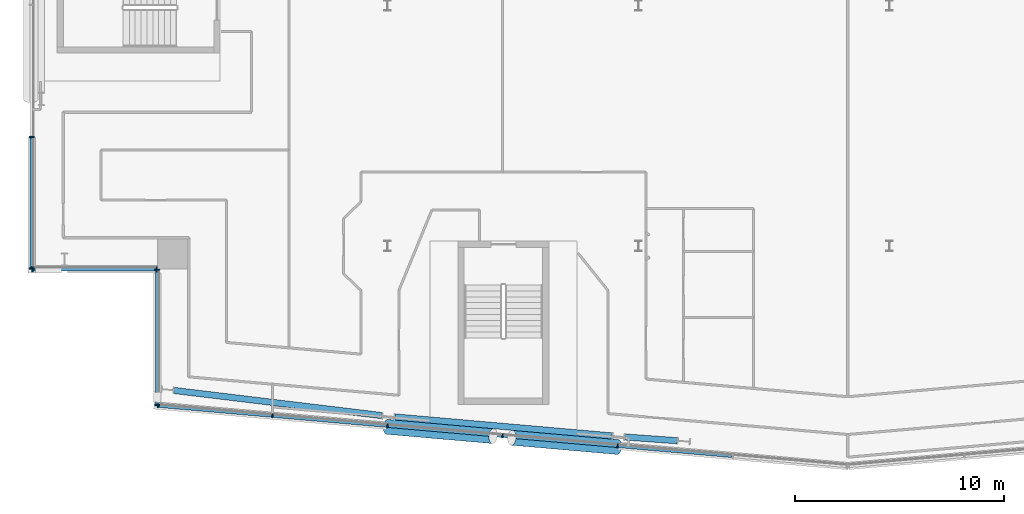
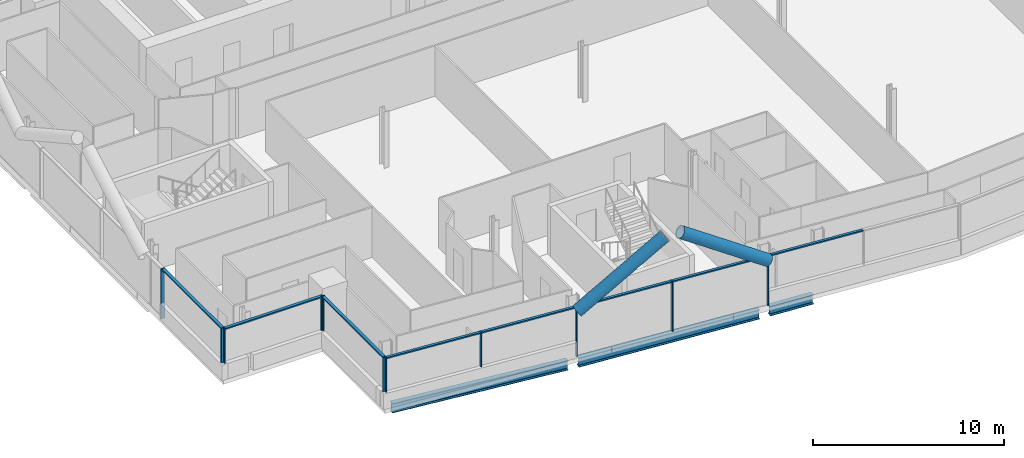
# One storey, part 6 of 27: 21 members, 3 beams, 4 elements without a shape of their own.
"""IFC4 building model written with IfcOpenShell, lengths in metres."""

from ifc_helpers import new_model, si_unit, direction, frame, origin, origin_2d, place, context, subcontext, project, spatial, rectangle, hollow_circle, i_section, extrude, material, material_profile, profile_set, type_object, element, aggregate, save


model = new_model("IFC4")

# Units and contexts
model_context = context("Model", 3, precision=1e-05, world=origin(), true_north=direction((0.0, 1.0)))
body_context = subcontext(model_context, "Body", "Model", "MODEL_VIEW")
ifc_project = project(units=[si_unit("LENGTHUNIT", "METRE"), si_unit("AREAUNIT", "SQUARE_METRE"), si_unit("VOLUMEUNIT", "CUBIC_METRE"), si_unit("PLANEANGLEUNIT", "RADIAN"), si_unit("MASSUNIT", "GRAM", prefix="KILO")], contexts=[model_context])

# Site, building, storey
site_placement = place(None, origin())
site = spatial("IfcSite", under=ifc_project, at=site_placement, CompositionType="ELEMENT")
building_placement = place(site_placement, origin())
building = spatial("IfcBuilding", under=site, at=building_placement, Name="Wharfspan Tower", CompositionType="ELEMENT")
storey_placement = place(building_placement, frame((0.0, 0.0, 191.5)))
storey = spatial("IfcBuildingStorey", under=building, at=storey_placement, Name="L47", CompositionType="ELEMENT", Elevation=191.5)

# Beams
ifc_material_1 = material(Name="Steel S355J2", Category="steel")
ifc_material_profile_1 = material_profile(ifc_material_1, i_section(OverallWidth=0.300049, OverallDepth=0.600098, WebThickness=0.015381, FlangeThickness=0.030029, FilletRadius=0.0271, at=origin_2d()))
ifc_profile_set_1 = profile_set([ifc_material_profile_1], Name="Steel S355J2")
beam_type = type_object("IfcBeamType", Name="Edge beam HEB 600", PredefinedType="SPANDREL", material=ifc_profile_set_1)
beam_1_placement = place(storey_placement, frame((13.794678, 4.600586, -0.699951), z_axis=(0.992758, -0.12013, 0.0), x_axis=(0.12013, 0.992758, 0.0)))
element("IfcBeam", 1, at=beam_1_placement, inside=storey, type_object=beam_type, Name="Edge beam S1 L47 PS1.1 to PS1.2", PredefinedType="SPANDREL", context=body_context, shape_type="SweptSolid", body=[
    extrude(i_section(OverallWidth=0.300049, OverallDepth=0.600098, WebThickness=0.015381, FlangeThickness=0.030029, FilletRadius=0.0271, at=origin_2d()), origin(), (0.0, 0.0, 1.0), 10.013184),
])
beam_2_placement = place(storey_placement, frame((24.343994, 3.334229, -0.699951), z_axis=(0.996196, -0.087146, 0.0), x_axis=(0.087146, 0.996196, 0.0)))
element("IfcBeam", 2, at=beam_2_placement, inside=storey, type_object=beam_type, Name="Edge beam S1 L47 PS1.2 to PS1.3", PredefinedType="SPANDREL", context=body_context, shape_type="SweptSolid", body=[
    extrude(i_section(OverallWidth=0.300049, OverallDepth=0.600098, WebThickness=0.015381, FlangeThickness=0.030029, FilletRadius=0.0271, at=origin_2d()), origin(), (0.0, 0.0, 1.0), 10.430176),
])
beam_3_placement = place(storey_placement, frame((35.344482, 2.376709, -0.699951), z_axis=(0.997423, -0.07175, 0.0), x_axis=(0.07175, 0.997423, 0.0)))
element("IfcBeam", 3, at=beam_3_placement, inside=storey, type_object=beam_type, Name="Edge beam S1 L47 PS1.3 to PS1.4", PredefinedType="SPANDREL", context=body_context, shape_type="SweptSolid", body=[
    extrude(i_section(OverallWidth=0.300049, OverallDepth=0.600098, WebThickness=0.015381, FlangeThickness=0.030029, FilletRadius=0.0271, at=origin_2d()), origin(), (0.0, 0.0, 1.0), 2.518066),
])

# Curtain wall, members
ifc_material_2 = material(Name="Aluminium 6063-T6", Category="aluminium")
curtain_wall_type_1 = type_object("IfcCurtainWallType", Name="CURTAIN WALL FACETED FRONT", PredefinedType="NOTDEFINED", material=ifc_material_2)
curtain_wall_1_placement = place(storey_placement, origin())
curtain_wall_1 = element("IfcCurtainWall", 4, at=curtain_wall_1_placement, inside=storey, type_object=curtain_wall_type_1, Name="Curtain wall S1", PredefinedType="NOTDEFINED")
ifc_material_profile_2 = material_profile(ifc_material_2, rectangle(XDim=0.199951, YDim=0.060059, at=origin_2d()))
ifc_profile_set_2 = profile_set([ifc_material_profile_2], Name="Aluminium 6063-T6")
member_type_1 = type_object("IfcMemberType", Name="MULLION FACETED FRONT 60x200", PredefinedType="MULLION", material=ifc_profile_set_2)
member_1_placement = place(storey_placement, frame((13.029785, 3.872559, 1.0), z_axis=(0.0, 0.0, 1.0), x_axis=(0.087156, 0.996198, 0.0)))
member_1 = element("IfcMember", 5, at=member_1_placement, type_object=member_type_1, Name="Curtain wall S1 mullion 1", PredefinedType="MULLION", context=body_context, shape_type="SweptSolid", body=[
    extrude(rectangle(XDim=0.199951, YDim=0.060059, at=origin_2d()), origin(), (0.0, 0.0, 1.0), 2.199951),
])
member_2_placement = place(storey_placement, frame((18.5, 3.393799, 1.0), z_axis=(0.0, 0.0, 1.0), x_axis=(0.087156, 0.996198, 0.0)))
member_2 = element("IfcMember", 6, at=member_2_placement, type_object=member_type_1, Name="Curtain wall S1 mullion 2", PredefinedType="MULLION", context=body_context, shape_type="SweptSolid", body=[
    extrude(rectangle(XDim=0.199951, YDim=0.060059, at=origin_2d()), origin(), (0.0, 0.0, 1.0), 2.199951),
])
member_3_placement = place(storey_placement, frame((24.0, 2.912598, 0.0), z_axis=(0.0, 0.0, 1.0), x_axis=(0.087156, 0.996198, 0.0)))
member_3 = element("IfcMember", 7, at=member_3_placement, type_object=member_type_1, Name="Curtain wall S1 mullion 3", PredefinedType="MULLION", context=body_context, shape_type="SweptSolid", body=[
    extrude(rectangle(XDim=0.199951, YDim=0.060059, at=origin_2d()), origin(), (0.0, 0.0, 1.0), 3.199951),
])
member_4_placement = place(storey_placement, frame((29.5, 2.431396, 0.0), z_axis=(0.0, 0.0, 1.0), x_axis=(0.087156, 0.996198, 0.0)))
member_4 = element("IfcMember", 8, at=member_4_placement, type_object=member_type_1, Name="Curtain wall S1 mullion 4", PredefinedType="MULLION", context=body_context, shape_type="SweptSolid", body=[
    extrude(rectangle(XDim=0.199951, YDim=0.060059, at=origin_2d()), origin(), (0.0, 0.0, 1.0), 3.199951),
])
member_5_placement = place(storey_placement, frame((35.0, 1.950195, 0.0), z_axis=(0.0, 0.0, 1.0), x_axis=(0.087156, 0.996198, 0.0)))
member_5 = element("IfcMember", 9, at=member_5_placement, type_object=member_type_1, Name="Curtain wall S1 mullion 5", PredefinedType="MULLION", context=body_context, shape_type="SweptSolid", body=[
    extrude(rectangle(XDim=0.199951, YDim=0.060059, at=origin_2d()), origin(), (0.0, 0.0, 1.0), 3.199951),
])

curtain_wall_type_2 = type_object("IfcCurtainWallType", Name="CURTAIN WALL PROW AND END", PredefinedType="NOTDEFINED", material=ifc_material_2)
curtain_wall_2_placement = place(storey_placement, origin())
curtain_wall_2 = element("IfcCurtainWall", 10, at=curtain_wall_2_placement, inside=storey, type_object=curtain_wall_type_2, Name="Curtain wall W", PredefinedType="NOTDEFINED")
ifc_material_profile_3 = material_profile(ifc_material_2, rectangle(XDim=0.23999, YDim=0.060059, at=origin_2d()))
ifc_profile_set_3 = profile_set([ifc_material_profile_3], Name="Aluminium 6063-T6")
member_type_2 = type_object("IfcMemberType", Name="MULLION PROW AND END 60x240", PredefinedType="MULLION", material=ifc_profile_set_3)
member_6_placement = place(storey_placement, frame((7.0, 16.719971, 0.0), z_axis=(0.0, 0.0, 1.0), x_axis=(1.0, 0.0, 0.0)))
member_6 = element("IfcMember", 11, at=member_6_placement, type_object=member_type_2, Name="Curtain wall W mullion 5", PredefinedType="MULLION", context=body_context, shape_type="SweptSolid", body=[
    extrude(rectangle(XDim=0.23999, YDim=0.060059, at=origin_2d()), origin(), (0.0, 0.0, 1.0), 3.199951),
])
member_7_placement = place(storey_placement, frame((7.0, 10.429932, 1.0), z_axis=(0.0, 0.0, 1.0), x_axis=(1.0, 0.0, 0.0)))
member_7 = element("IfcMember", 12, at=member_7_placement, type_object=member_type_2, Name="Curtain wall W mullion 6", PredefinedType="MULLION", context=body_context, shape_type="SweptSolid", body=[
    extrude(rectangle(XDim=0.23999, YDim=0.060059, at=origin_2d()), origin(), (0.0, 0.0, 1.0), 2.199951),
])

curtain_wall_3_placement = place(storey_placement, origin())
curtain_wall_3 = element("IfcCurtainWall", 13, at=curtain_wall_3_placement, inside=storey, type_object=curtain_wall_type_2, Name="Curtain wall NFW-H", PredefinedType="NOTDEFINED")
member_8_placement = place(storey_placement, frame((7.030029, 10.399902, 1.0), z_axis=(0.0, 0.0, 1.0), x_axis=(0.0, 1.0, 0.0)))
member_8 = element("IfcMember", 14, at=member_8_placement, type_object=member_type_2, Name="Curtain wall NFW-H mullion 1", PredefinedType="MULLION", context=body_context, shape_type="SweptSolid", body=[
    extrude(rectangle(XDim=0.23999, YDim=0.060059, at=origin_2d()), origin(), (0.0, 0.0, 1.0), 2.199951),
])
member_9_placement = place(storey_placement, frame((12.969971, 10.399902, 1.0), z_axis=(0.0, 0.0, 1.0), x_axis=(0.0, 1.0, 0.0)))
member_9 = element("IfcMember", 15, at=member_9_placement, type_object=member_type_2, Name="Curtain wall NFW-H mullion 2", PredefinedType="MULLION", context=body_context, shape_type="SweptSolid", body=[
    extrude(rectangle(XDim=0.23999, YDim=0.060059, at=origin_2d()), origin(), (0.0, 0.0, 1.0), 2.199951),
])

curtain_wall_4_placement = place(storey_placement, origin())
curtain_wall_4 = element("IfcCurtainWall", 16, at=curtain_wall_4_placement, inside=storey, type_object=curtain_wall_type_2, Name="Curtain wall NFW-V", PredefinedType="NOTDEFINED")
member_10_placement = place(storey_placement, frame((13.0, 10.370117, 1.0), z_axis=(0.0, 0.0, 1.0), x_axis=(1.0, 0.0, 0.0)))
member_10 = element("IfcMember", 17, at=member_10_placement, type_object=member_type_2, Name="Curtain wall NFW-V mullion 1", PredefinedType="MULLION", context=body_context, shape_type="SweptSolid", body=[
    extrude(rectangle(XDim=0.23999, YDim=0.060059, at=origin_2d()), origin(), (0.0, 0.0, 1.0), 2.199951),
])
member_11_placement = place(storey_placement, frame((13.0, 3.905029, 1.0), z_axis=(0.0, 0.0, 1.0), x_axis=(1.0, 0.0, 0.0)))
member_11 = element("IfcMember", 18, at=member_11_placement, type_object=member_type_2, Name="Curtain wall NFW-V mullion 2", PredefinedType="MULLION", context=body_context, shape_type="SweptSolid", body=[
    extrude(rectangle(XDim=0.23999, YDim=0.060059, at=origin_2d()), origin(), (0.0, 0.0, 1.0), 2.199951),
])

# Members
ifc_material_3 = material(Name="Steel S460NH", Category="steel")
ifc_material_profile_4 = material_profile(ifc_material_3, hollow_circle(Radius=0.355469, WallThickness=0.035889, at=origin_2d()))
ifc_profile_set_4 = profile_set([ifc_material_profile_4], Name="Steel S460NH")
member_type_3 = type_object("IfcMemberType", Name="Mega brace CHS 711x36", PredefinedType="BRACE", material=ifc_profile_set_4)
for number, where, z_axis, x_axis, name in (
    (19, (23.995117, 2.85791, 2.899902), (0.834469, -0.073006, 0.546197), (0.087156, 0.996198, -1e-06), "Mega brace S1 L48 part 1"),
    (20, (34.995117, 1.895508, 2.899902), (-0.834469, 0.073006, 0.546197), (-0.087156, -0.996198, -1e-06), "Mega brace S1 L48 part 3"),
):
    element("IfcMember", number, at=place(storey_placement, frame(where, z_axis=z_axis, x_axis=x_axis)), inside=storey, type_object=member_type_3, Name=name, PredefinedType="BRACE", context=body_context, shape_type="SweptSolid", body=[
        extrude(hollow_circle(Radius=0.355469, WallThickness=0.035889, at=origin_2d()), origin(), (0.0, 0.0, 1.0), 6.049561),
    ])

# Member
ifc_material_profile_5 = material_profile(ifc_material_2, rectangle(XDim=0.159912, YDim=0.080078, at=origin_2d()))
ifc_profile_set_5 = profile_set([ifc_material_profile_5], Name="Aluminium 6063-T6")
member_type_4 = type_object("IfcMemberType", Name="TRANSOM FACETED FRONT 80x160", PredefinedType="USERDEFINED", material=ifc_profile_set_5)
member_12_placement = place(storey_placement, frame((13.059814, 3.869873, 3.159912), z_axis=(0.996194, -0.087163, 0.0), x_axis=(0.087163, 0.996194, 0.0)))
member_12 = element("IfcMember", 21, at=member_12_placement, type_object=member_type_4, Name="Curtain wall S1 transom 1", ObjectType="TRANSOM", PredefinedType="USERDEFINED", context=body_context, shape_type="SweptSolid", body=[
    extrude(rectangle(XDim=0.159912, YDim=0.080078, at=origin_2d()), origin(), (0.0, 0.0, 1.0), 5.431152),
])

member_13_placement = place(storey_placement, frame((18.529785, 3.391357, 3.159912), z_axis=(0.996193, -0.087174, 0.0), x_axis=(0.087174, 0.996193, 0.0)))
member_13 = element("IfcMember", 22, at=member_13_placement, type_object=member_type_4, Name="Curtain wall S1 transom 2", ObjectType="TRANSOM", PredefinedType="USERDEFINED", context=body_context, shape_type="SweptSolid", body=[
    extrude(rectangle(XDim=0.159912, YDim=0.080078, at=origin_2d()), origin(), (0.0, 0.0, 1.0), 5.461182),
])

member_14_placement = place(storey_placement, frame((24.029785, 2.910156, 3.159912), z_axis=(0.996193, -0.087174, 0.0), x_axis=(0.087174, 0.996193, 0.0)))
member_14 = element("IfcMember", 23, at=member_14_placement, type_object=member_type_4, Name="Curtain wall S1 transom 3", ObjectType="TRANSOM", PredefinedType="USERDEFINED", context=body_context, shape_type="SweptSolid", body=[
    extrude(rectangle(XDim=0.159912, YDim=0.080078, at=origin_2d()), origin(), (0.0, 0.0, 1.0), 5.461182),
])

member_15_placement = place(storey_placement, frame((29.529785, 2.428955, 3.159912), z_axis=(0.996193, -0.087174, 0.0), x_axis=(0.087174, 0.996193, 0.0)))
member_15 = element("IfcMember", 24, at=member_15_placement, type_object=member_type_4, Name="Curtain wall S1 transom 4", ObjectType="TRANSOM", PredefinedType="USERDEFINED", context=body_context, shape_type="SweptSolid", body=[
    extrude(rectangle(XDim=0.159912, YDim=0.080078, at=origin_2d()), origin(), (0.0, 0.0, 1.0), 5.461182),
])

member_16_placement = place(storey_placement, frame((35.029785, 1.947754, 3.159912), z_axis=(0.996193, -0.087174, 0.0), x_axis=(0.087174, 0.996193, 0.0)))
member_16 = element("IfcMember", 25, at=member_16_placement, type_object=member_type_4, Name="Curtain wall S1 transom 5", ObjectType="TRANSOM", PredefinedType="USERDEFINED", context=body_context, shape_type="SweptSolid", body=[
    extrude(rectangle(XDim=0.159912, YDim=0.080078, at=origin_2d()), origin(), (0.0, 0.0, 1.0), 5.461182),
])

aggregate(curtain_wall_1, [member_1, member_2, member_3, member_4, member_5, member_12, member_13, member_14, member_15, member_16])

ifc_material_profile_6 = material_profile(ifc_material_2, rectangle(XDim=0.179932, YDim=0.080078, at=origin_2d()))
ifc_profile_set_6 = profile_set([ifc_material_profile_6], Name="Aluminium 6063-T6")
member_type_5 = type_object("IfcMemberType", Name="TRANSOM PROW AND END 80x180", PredefinedType="USERDEFINED", material=ifc_profile_set_6)
member_17_placement = place(storey_placement, frame((7.0, 16.689941, 3.159912), z_axis=(0.0, -1.0, 0.0), x_axis=(1.0, 0.0, 0.0)))
member_17 = element("IfcMember", 26, at=member_17_placement, type_object=member_type_5, Name="Curtain wall W transom 5", ObjectType="TRANSOM", PredefinedType="USERDEFINED", context=body_context, shape_type="SweptSolid", body=[
    extrude(rectangle(XDim=0.179932, YDim=0.080078, at=origin_2d()), origin(), (0.0, 0.0, 1.0), 6.22998),
])

aggregate(curtain_wall_2, [member_6, member_7, member_17])

member_18_placement = place(storey_placement, frame((7.060059, 10.399902, 3.159912), z_axis=(1.0, 0.0, 0.0), x_axis=(0.0, 1.0, 0.0)))
member_18 = element("IfcMember", 27, at=member_18_placement, type_object=member_type_5, Name="Curtain wall NFW-H transom 1", ObjectType="TRANSOM", PredefinedType="USERDEFINED", context=body_context, shape_type="SweptSolid", body=[
    extrude(rectangle(XDim=0.179932, YDim=0.080078, at=origin_2d()), origin(), (0.0, 0.0, 1.0), 5.879883),
])

aggregate(curtain_wall_3, [member_8, member_9, member_18])

member_19_placement = place(storey_placement, frame((13.0, 10.340088, 3.159912), z_axis=(0.0, -1.0, 0.0), x_axis=(1.0, 0.0, 0.0)))
member_19 = element("IfcMember", 28, at=member_19_placement, type_object=member_type_5, Name="Curtain wall NFW-V transom 1", ObjectType="TRANSOM", PredefinedType="USERDEFINED", context=body_context, shape_type="SweptSolid", body=[
    extrude(rectangle(XDim=0.179932, YDim=0.080078, at=origin_2d()), origin(), (0.0, 0.0, 1.0), 6.405029),
])

aggregate(curtain_wall_4, [member_10, member_11, member_19])

save(model, "model.ifc")
